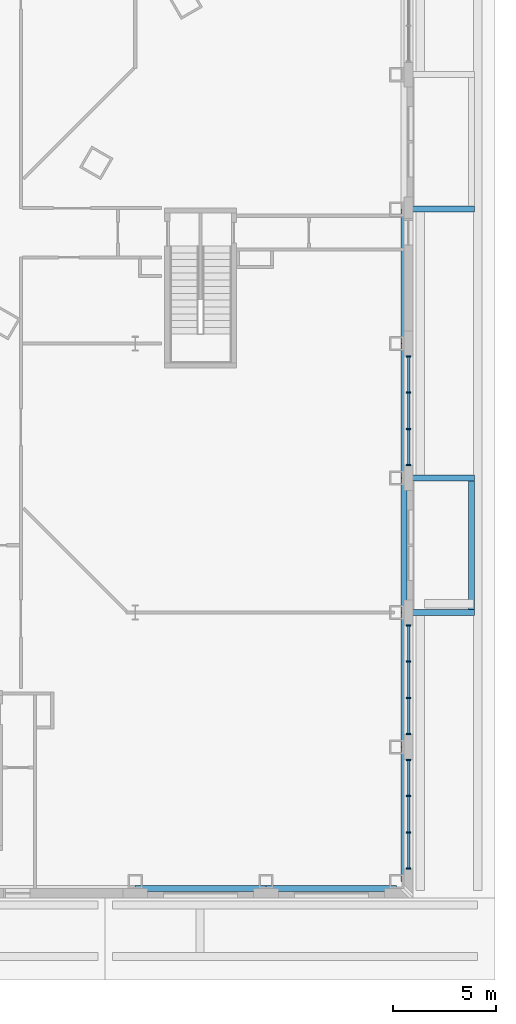
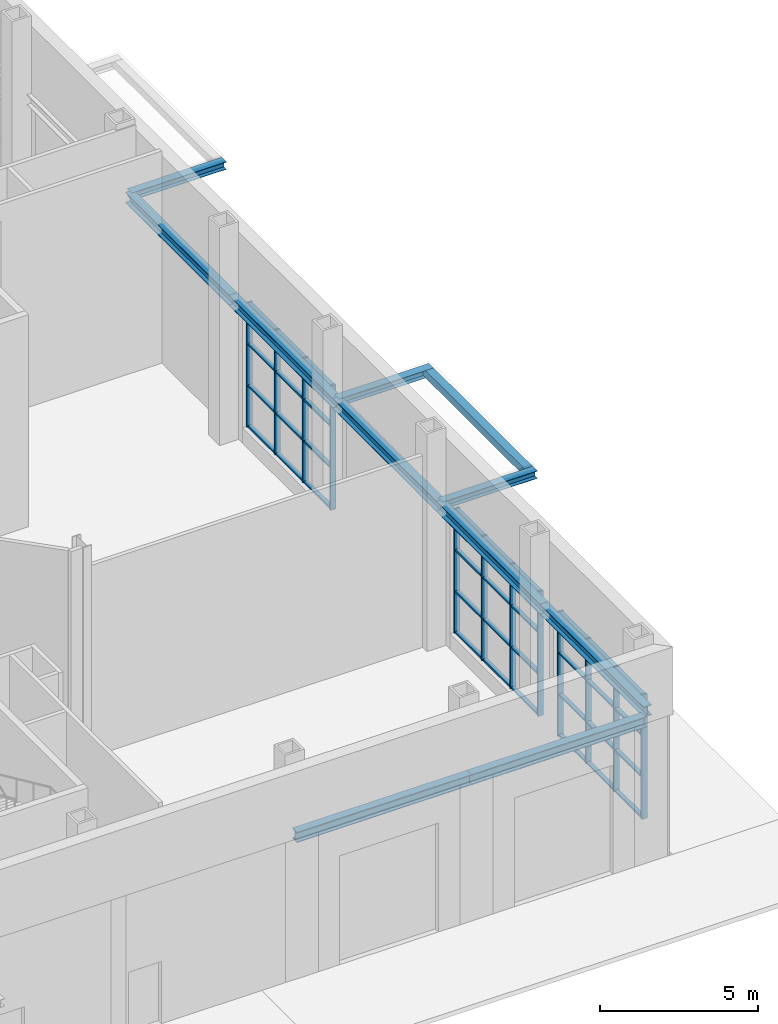
# One storey, part 11 of 34: 48 members, 11 beams, 3 elements without a shape of their own.
"""IFC4 building model written with IfcOpenShell, lengths in metres."""

import ifcopenshell
import ifcopenshell.guid

model = None  # the IFC model being written
_history = None  # IfcOwnerHistory: only IFC2X3 demands one
_inside = {}  # id of a spatial element -> (the spatial element, [elements in it])
_under = {}  # id of a project, library or spatial element -> (it, [spatial elements below it])
_declared = {}  # id of a project -> (the project, [libraries it declares])
_typed = {}  # id of a type object -> (the type object, [elements of that type])
_made_of = {}  # id of a material, layer set ... -> (it, [elements and type objects made of it])


def new_model(schema):
    """Start an empty IFC model of exactly this schema.

    Asked for "IFC4X3", IfcOpenShell would pick the latest addendum, in which some entities
    have other attributes; the version numbers below select the first issue.
    IFC2X3 requires an IfcOwnerHistory on every rooted entity: one is made here for all.
    """
    global model, _history
    if schema == "IFC4X3":
        model = ifcopenshell.file(schema_version=(4, 3, 0, 0))
    else:
        model = ifcopenshell.file(schema=schema)
    _inside.clear()
    _under.clear()
    _declared.clear()
    _typed.clear()
    _made_of.clear()
    _history = None
    if model.schema == "IFC2X3":
        org = make("IfcOrganization", Name="unknown")
        user = make(
            "IfcPersonAndOrganization",
            ThePerson=make("IfcPerson", FamilyName="unknown"),
            TheOrganization=org,
        )
        app = make(
            "IfcApplication",
            ApplicationDeveloper=org,
            Version="unknown",
            ApplicationFullName="unknown",
            ApplicationIdentifier="unknown",
        )
        _history = make(
            "IfcOwnerHistory",
            OwningUser=user,
            OwningApplication=app,
            ChangeAction="ADDED",
            CreationDate=0,
        )
    return model


def make(cls, **values):
    """One entity of the class cls with the attributes given. An attribute that is None is left unset."""
    return model.create_entity(
        cls, **{name: value for name, value in values.items() if value is not None}
    )


def rooted(cls, **values):
    """An entity with a GlobalId (a new one), such as an element, a storey or a relation."""
    return make(cls, GlobalId=ifcopenshell.guid.new(), OwnerHistory=_history, **values)


def si_unit(unit_type, name, prefix=None):
    """IfcSIUnit, for example si_unit("LENGTHUNIT", "METRE", prefix="MILLI")."""
    return make("IfcSIUnit", UnitType=unit_type, Prefix=prefix, Name=name)


def assignment(units):
    """IfcUnitAssignment: the units of a project."""
    return None if units is None else make("IfcUnitAssignment", Units=units)


def point(xyz):
    """IfcCartesianPoint."""
    return None if xyz is None else make("IfcCartesianPoint", Coordinates=xyz)


def direction(xyz):
    """IfcDirection."""
    return None if xyz is None else make("IfcDirection", DirectionRatios=xyz)


def frame(location, z_axis=None, x_axis=None):
    """IfcAxis2Placement3D, a coordinate frame: its origin and axes. An axis left out is left unset."""
    return make(
        "IfcAxis2Placement3D",
        Location=point(location),
        Axis=direction(z_axis),
        RefDirection=direction(x_axis),
    )


def frame_2d(location, x_axis=None):
    """IfcAxis2Placement2D, a coordinate frame in the plane: its origin and x axis."""
    return make(
        "IfcAxis2Placement2D", Location=point(location), RefDirection=direction(x_axis)
    )


def origin():
    """The frame at (0, 0, 0) with its axes left unset."""
    return frame((0.0, 0.0, 0.0))


def origin_2d():
    """The frame at (0, 0) in the plane with its x axis left unset."""
    return frame_2d((0.0, 0.0))


def place(relative_to, where):
    """IfcLocalPlacement: puts the frame where relative to a parent placement (None: the world)."""
    return make(
        "IfcLocalPlacement", PlacementRelTo=relative_to, RelativePlacement=where
    )


def context(
    kind, dimensions, precision=None, world=None, true_north=None, identifier=None
):
    """IfcGeometricRepresentationContext, for example the 3D "Model" context."""
    return make(
        "IfcGeometricRepresentationContext",
        ContextIdentifier=identifier,
        ContextType=kind,
        CoordinateSpaceDimension=dimensions,
        Precision=precision,
        WorldCoordinateSystem=world,
        TrueNorth=true_north,
    )


def subcontext(parent, identifier, kind, view, scale=None):
    """IfcGeometricRepresentationSubContext, for example "Body" below "Model"."""
    return make(
        "IfcGeometricRepresentationSubContext",
        ContextIdentifier=identifier,
        ContextType=kind,
        ParentContext=parent,
        TargetScale=scale,
        TargetView=view,
    )


def project(units=None, contexts=None):
    """IfcProject with its units and contexts."""
    return rooted(
        "IfcProject",
        Name="project",
        RepresentationContexts=contexts,
        UnitsInContext=assignment(units),
    )


def spatial(cls, under=None, at=None, **own):
    """A site, building, storey or space (cls), placed at a placement, below another one or the project."""
    s = rooted(cls, ObjectPlacement=at, **own)
    if under is not None:
        _under.setdefault(under.id(), (under, []))[1].append(s)
    return s


def profile(cls, at=None, kind="AREA", **sizes):
    """A parametric profile (cls). Its sizes go by their IFC names, for example OverallWidth=200.0."""
    return make(cls, ProfileType=kind, Position=at, **sizes)


def rectangle(**sizes):
    """IfcRectangleProfileDef."""
    return profile("IfcRectangleProfileDef", **sizes)


def hollow_rectangle(**sizes):
    """IfcRectangleHollowProfileDef."""
    return profile("IfcRectangleHollowProfileDef", **sizes)


def i_section(**sizes):
    """IfcIShapeProfileDef."""
    return profile("IfcIShapeProfileDef", **sizes)


def extrude(swept, where, along, depth):
    """IfcExtrudedAreaSolid: the profile swept, set in the frame where, extruded along a direction by depth."""
    return make(
        "IfcExtrudedAreaSolid",
        SweptArea=swept,
        Position=where,
        ExtrudedDirection=direction(along),
        Depth=depth,
    )


def shape(context_of_items, identifier, shape_type, items):
    """IfcShapeRepresentation: the items that make up one representation, for example the "Body"."""
    return make(
        "IfcShapeRepresentation",
        ContextOfItems=context_of_items,
        RepresentationIdentifier=identifier,
        RepresentationType=shape_type,
        Items=items,
    )


def material(Name=None, Category=None):
    """IfcMaterial."""
    return make("IfcMaterial", Name=Name, Category=Category)


def layer(
    of_material, thickness, ventilated=None, Name=None, Category=None, Priority=None
):
    """IfcMaterialLayer: one layer of a wall or slab, of a material (None: an air gap)."""
    return make(
        "IfcMaterialLayer",
        Material=of_material,
        LayerThickness=thickness,
        IsVentilated=ventilated,
        Name=Name,
        Category=Category,
        Priority=Priority,
    )


def layer_set(layers, Name=None):
    """IfcMaterialLayerSet."""
    return make("IfcMaterialLayerSet", MaterialLayers=layers, LayerSetName=Name)


def material_profile(
    of_material, cross_section, Name=None, Category=None, Priority=None
):
    """IfcMaterialProfile: a cross section and its material."""
    return make(
        "IfcMaterialProfile",
        Name=Name,
        Material=of_material,
        Profile=cross_section,
        Priority=Priority,
        Category=Category,
    )


def profile_set(profiles, Name=None, composite=None):
    """IfcMaterialProfileSet."""
    return make(
        "IfcMaterialProfileSet",
        Name=Name,
        MaterialProfiles=profiles,
        CompositeProfile=composite,
    )


def made_of(thing, what):
    """Note that an element or type object is made of a material, layer set ...; save() writes the relation."""
    if what is not None:
        _made_of.setdefault(what.id(), (what, []))[1].append(thing)
    return thing


def type_object(cls, material=None, **own):
    """A type object (cls), such as IfcWallType, which elements share."""
    return made_of(rooted(cls, **own), material)


def element(
    cls,
    number,
    at=None,
    inside=None,
    cuts=None,
    type_object=None,
    material=None,
    context=None,
    identifier="Body",
    shape_type=None,
    held_by="IfcProductDefinitionShape",
    body=None,
    shapes=None,
    **own,
):
    """One element of the class cls, such as IfcWall. Its Tag is "e" and its number.

    at: its placement. inside: the storey or other place that contains it. cuts: it is an
    opening in that element (IfcRelVoidsElement). A single representation is given by context,
    identifier, shape_type and body (its items); several are given by shapes. held_by: the class
    of the entity that holds the representations. save() writes the other relations.
    """
    e = rooted(cls, Tag="e%d" % number, ObjectPlacement=at, **own)
    if body is not None:
        shapes = [shape(context, identifier, shape_type, body)]
    if shapes is not None:
        e.Representation = make(held_by, Representations=shapes)
    if inside is not None:
        _inside.setdefault(inside.id(), (inside, []))[1].append(e)
    if cuts is not None:
        rooted(
            "IfcRelVoidsElement", RelatingBuildingElement=cuts, RelatedOpeningElement=e
        )
    if type_object is not None:
        _typed.setdefault(type_object.id(), (type_object, []))[1].append(e)
    return made_of(e, material)


def aggregate(whole, parts):
    """IfcRelAggregates: a whole, such as a stair, and the parts it consists of."""
    return rooted("IfcRelAggregates", RelatingObject=whole, RelatedObjects=parts)


def save(model, path):
    """Write the relations noted so far, then the file.

    IfcRelAggregates (storeys below a building ...), IfcRelContainedInSpatialStructure (elements
    in a storey), IfcRelDefinesByType, IfcRelAssociatesMaterial and IfcRelDeclares: one each for
    every whole, place, type object, material and project.
    """
    for whole, parts in _under.values():
        aggregate(whole, parts)
    for where, things in _inside.values():
        rooted(
            "IfcRelContainedInSpatialStructure",
            RelatedElements=things,
            RelatingStructure=where,
        )
    for kind, things in _typed.values():
        rooted("IfcRelDefinesByType", RelatedObjects=things, RelatingType=kind)
    for what, things in _made_of.values():
        rooted("IfcRelAssociatesMaterial", RelatedObjects=things, RelatingMaterial=what)
    for by, libraries in _declared.values():
        rooted("IfcRelDeclares", RelatingContext=by, RelatedDefinitions=libraries)
    model.write(path)


model = new_model("IFC4")

# Units and contexts
model_context = context("Model", 3, precision=1e-05, world=origin(), true_north=direction((0.0, 1.0)))
body_context = subcontext(model_context, "Body", "Model", "MODEL_VIEW")
ifc_project = project(units=[si_unit("LENGTHUNIT", "METRE"), si_unit("AREAUNIT", "SQUARE_METRE"), si_unit("VOLUMEUNIT", "CUBIC_METRE"), si_unit("PLANEANGLEUNIT", "RADIAN"), si_unit("MASSUNIT", "GRAM", prefix="KILO")], contexts=[model_context])

# Site, building, storey
site_placement = place(None, origin())
site = spatial("IfcSite", under=ifc_project, at=site_placement, CompositionType="ELEMENT")
building_placement = place(site_placement, origin())
building = spatial("IfcBuilding", under=site, at=building_placement, Name="Njiva Tower", CompositionType="ELEMENT")
storey_placement = place(building_placement, origin())
storey = spatial("IfcBuildingStorey", under=building, at=storey_placement, Name="L00", CompositionType="ELEMENT", Elevation=0.0)

# Beams
ifc_material_1 = material(Name="Steel S355 J2", Category="steel")
ifc_material_profile_1 = material_profile(ifc_material_1, i_section(OverallWidth=0.3, OverallDepth=0.29, WebThickness=0.0085, FlangeThickness=0.014, at=origin_2d()), Name="HEA300")
ifc_profile_set_1 = profile_set([ifc_material_profile_1], Name="Steel S355 J2")
beam_type_1 = type_object("IfcBeamType", Name="B90 Canopy cantilever beam HEA 300", PredefinedType="BEAM", material=ifc_profile_set_1)
for number, where, z_axis, x_axis, name in (
    (1, (38.55, -19.9, 5.255), (1.0, 0.0, 0.0), (0.0, 1.0, 0.0), "Canopy beam"),
    (2, (38.55, -13.35, 5.255), (1.0, 0.0, 0.0), (0.0, 1.0, 0.0), "Canopy beam"),
    (3, (38.55, -0.25, 5.255), (1.0, 0.0, 0.0), (0.0, 1.0, 0.0), "Canopy beam"),
):
    element("IfcBeam", number, at=place(storey_placement, frame(where, z_axis=z_axis, x_axis=x_axis)), inside=storey, type_object=beam_type_1, Name=name, PredefinedType="BEAM", context=body_context, shape_type="SweptSolid", body=[
        extrude(i_section(OverallWidth=0.3, OverallDepth=0.29, WebThickness=0.0085, FlangeThickness=0.014, at=origin_2d()), origin(), (0.0, 0.0, 1.0), 3.45),
    ])
ifc_material_2 = material(Name="Steel S355 J2H", Category="steel")
ifc_material_profile_2 = material_profile(ifc_material_2, hollow_rectangle(XDim=0.3, YDim=0.29, WallThickness=0.01, at=origin_2d()), Name="BOX 290x300x10")
ifc_profile_set_2 = profile_set([ifc_material_profile_2], Name="Steel S355 J2H")
beam_type_2 = type_object("IfcBeamType", Name="B91 Canopy tip beam RHS 290x300x10", PredefinedType="BEAM", material=ifc_profile_set_2)
beam_1_placement = place(storey_placement, frame((41.85, -19.9, 5.255), z_axis=(0.0, 1.0, 0.0), x_axis=(-1.0, 0.0, 0.0)))
element("IfcBeam", 4, at=beam_1_placement, inside=storey, type_object=beam_type_2, Name="Canopy tip beam", PredefinedType="BEAM", context=body_context, shape_type="SweptSolid", body=[
    extrude(hollow_rectangle(XDim=0.3, YDim=0.29, WallThickness=0.01, at=origin_2d()), origin(), (0.0, 0.0, 1.0), 6.55),
])
ifc_material_profile_3 = material_profile(ifc_material_1, i_section(OverallWidth=0.3, OverallDepth=0.4, WebThickness=0.0135, FlangeThickness=0.024, at=origin_2d()), Name="HEB400")
ifc_profile_set_3 = profile_set([ifc_material_profile_3], Name="Steel S355 J2")
beam_type_3 = type_object("IfcBeamType", Name="B92 Podium lintel beam HEB 400", PredefinedType="BEAM", material=ifc_profile_set_3)
for number, where, z_axis, x_axis, name in (
    (5, (38.55, -33.0, 5.2), (0.0, 1.0, 0.0), (-1.0, 0.0, 0.0), "Podium lintel beam"),
    (6, (38.55, -26.45, 5.2), (0.0, 1.0, 0.0), (-1.0, 0.0, 0.0), "Podium lintel beam"),
    (7, (38.55, -19.9, 5.2), (0.0, 1.0, 0.0), (-1.0, 0.0, 0.0), "Podium lintel beam"),
    (8, (38.55, -13.35, 5.2), (0.0, 1.0, 0.0), (-1.0, 0.0, 0.0), "Podium lintel beam"),
    (9, (38.55, -6.8, 5.2), (0.0, 1.0, 0.0), (-1.0, 0.0, 0.0), "Podium lintel beam"),
):
    element("IfcBeam", number, at=place(storey_placement, frame(where, z_axis=z_axis, x_axis=x_axis)), inside=storey, type_object=beam_type_3, Name=name, PredefinedType="BEAM", context=body_context, shape_type="SweptSolid", body=[
        extrude(i_section(OverallWidth=0.3, OverallDepth=0.4, WebThickness=0.0135, FlangeThickness=0.024, at=origin_2d()), origin(), (0.0, 0.0, 1.0), 6.55),
    ])
beam_2_placement = place(storey_placement, frame((25.467, -33.35, 5.2), z_axis=(1.0, 0.0, 0.0), x_axis=(0.0, 1.0, 0.0)))
element("IfcBeam", 10, at=beam_2_placement, inside=storey, type_object=beam_type_3, Name="Podium lintel beam", PredefinedType="BEAM", context=body_context, shape_type="SweptSolid", body=[
    extrude(i_section(OverallWidth=0.3, OverallDepth=0.4, WebThickness=0.0135, FlangeThickness=0.024, at=origin_2d()), origin(), (0.0, 0.0, 1.0), 6.366),
])
beam_3_placement = place(storey_placement, frame((31.833, -33.35, 5.2), z_axis=(1.0, 0.0, 0.0), x_axis=(0.0, 1.0, 0.0)))
element("IfcBeam", 11, at=beam_3_placement, inside=storey, type_object=beam_type_3, Name="Podium lintel beam", PredefinedType="BEAM", context=body_context, shape_type="SweptSolid", body=[
    extrude(i_section(OverallWidth=0.3, OverallDepth=0.4, WebThickness=0.0135, FlangeThickness=0.024, at=origin_2d()), origin(), (0.0, 0.0, 1.0), 6.367),
])

# Curtain wall, members
ifc_material_3 = material(Name="Glazed curtain wall", Category="glass")
ifc_layer = layer(ifc_material_3, 0.2)
ifc_layer_set = layer_set([ifc_layer], Name="Glazed curtain wall")
curtain_wall_type = type_object("IfcCurtainWallType", Name="CW1 Shopfront glazing", PredefinedType="NOTDEFINED", material=ifc_layer_set)
curtain_wall_1_placement = place(storey_placement, origin())
curtain_wall_1 = element("IfcCurtainWall", 12, at=curtain_wall_1_placement, inside=storey, type_object=curtain_wall_type, Name="Shopfront E1", PredefinedType="NOTDEFINED")
ifc_material_4 = material(Name="Aluminium mullion", Category="aluminium")
ifc_material_profile_4 = material_profile(ifc_material_4, rectangle(XDim=0.2, YDim=0.065, at=origin_2d()), Name="RECT 200x65")
ifc_profile_set_4 = profile_set([ifc_material_profile_4], Name="Aluminium mullion")
member_type_1 = type_object("IfcMemberType", Name="CW1-M Shopfront mullion 200x65", PredefinedType="MULLION", material=ifc_profile_set_4)
member_1_placement = place(storey_placement, frame((38.775, -32.3675, 0.6), z_axis=(0.0, 0.0, 1.0), x_axis=(-1.0, 0.0, 0.0)))
member_1 = element("IfcMember", 13, at=member_1_placement, type_object=member_type_1, Name="CW1-E1 mullion 1", PredefinedType="MULLION", context=body_context, shape_type="SweptSolid", body=[
    extrude(rectangle(XDim=0.2, YDim=0.065, at=origin_2d()), origin(), (0.0, 0.0, 1.0), 4.8),
])
member_2_placement = place(storey_placement, frame((38.775, -30.6167, 0.6), z_axis=(0.0, 0.0, 1.0), x_axis=(-1.0, 0.0, 0.0)))
member_2 = element("IfcMember", 14, at=member_2_placement, type_object=member_type_1, Name="CW1-E1 mullion 2", PredefinedType="MULLION", context=body_context, shape_type="SweptSolid", body=[
    extrude(rectangle(XDim=0.2, YDim=0.065, at=origin_2d()), origin(), (0.0, 0.0, 1.0), 4.8),
])
member_3_placement = place(storey_placement, frame((38.775, -28.8333, 0.6), z_axis=(0.0, 0.0, 1.0), x_axis=(-1.0, 0.0, 0.0)))
member_3 = element("IfcMember", 15, at=member_3_placement, type_object=member_type_1, Name="CW1-E1 mullion 3", PredefinedType="MULLION", context=body_context, shape_type="SweptSolid", body=[
    extrude(rectangle(XDim=0.2, YDim=0.065, at=origin_2d()), origin(), (0.0, 0.0, 1.0), 4.8),
])
member_4_placement = place(storey_placement, frame((38.775, -27.0825, 0.6), z_axis=(0.0, 0.0, 1.0), x_axis=(-1.0, 0.0, 0.0)))
member_4 = element("IfcMember", 16, at=member_4_placement, type_object=member_type_1, Name="CW1-E1 mullion 4", PredefinedType="MULLION", context=body_context, shape_type="SweptSolid", body=[
    extrude(rectangle(XDim=0.2, YDim=0.065, at=origin_2d()), origin(), (0.0, 0.0, 1.0), 4.8),
])

curtain_wall_2_placement = place(storey_placement, origin())
curtain_wall_2 = element("IfcCurtainWall", 17, at=curtain_wall_2_placement, inside=storey, type_object=curtain_wall_type, Name="Shopfront E2", PredefinedType="NOTDEFINED")
member_5_placement = place(storey_placement, frame((38.775, -25.8175, 0.6), z_axis=(0.0, 0.0, 1.0), x_axis=(-1.0, 0.0, 0.0)))
member_5 = element("IfcMember", 18, at=member_5_placement, type_object=member_type_1, Name="CW1-E2 mullion 1", PredefinedType="MULLION", context=body_context, shape_type="SweptSolid", body=[
    extrude(rectangle(XDim=0.2, YDim=0.065, at=origin_2d()), origin(), (0.0, 0.0, 1.0), 4.8),
])
member_6_placement = place(storey_placement, frame((38.775, -24.0667, 0.6), z_axis=(0.0, 0.0, 1.0), x_axis=(-1.0, 0.0, 0.0)))
member_6 = element("IfcMember", 19, at=member_6_placement, type_object=member_type_1, Name="CW1-E2 mullion 2", PredefinedType="MULLION", context=body_context, shape_type="SweptSolid", body=[
    extrude(rectangle(XDim=0.2, YDim=0.065, at=origin_2d()), origin(), (0.0, 0.0, 1.0), 4.8),
])
member_7_placement = place(storey_placement, frame((38.775, -22.2833, 0.6), z_axis=(0.0, 0.0, 1.0), x_axis=(-1.0, 0.0, 0.0)))
member_7 = element("IfcMember", 20, at=member_7_placement, type_object=member_type_1, Name="CW1-E2 mullion 3", PredefinedType="MULLION", context=body_context, shape_type="SweptSolid", body=[
    extrude(rectangle(XDim=0.2, YDim=0.065, at=origin_2d()), origin(), (0.0, 0.0, 1.0), 4.8),
])
member_8_placement = place(storey_placement, frame((38.775, -20.5325, 0.6), z_axis=(0.0, 0.0, 1.0), x_axis=(-1.0, 0.0, 0.0)))
member_8 = element("IfcMember", 21, at=member_8_placement, type_object=member_type_1, Name="CW1-E2 mullion 4", PredefinedType="MULLION", context=body_context, shape_type="SweptSolid", body=[
    extrude(rectangle(XDim=0.2, YDim=0.065, at=origin_2d()), origin(), (0.0, 0.0, 1.0), 4.8),
])

curtain_wall_3_placement = place(storey_placement, origin())
curtain_wall_3 = element("IfcCurtainWall", 22, at=curtain_wall_3_placement, inside=storey, type_object=curtain_wall_type, Name="Shopfront E4", PredefinedType="NOTDEFINED")
member_9_placement = place(storey_placement, frame((38.775, -12.7175, 0.6), z_axis=(0.0, 0.0, 1.0), x_axis=(-1.0, 0.0, 0.0)))
member_9 = element("IfcMember", 23, at=member_9_placement, type_object=member_type_1, Name="CW1-E4 mullion 1", PredefinedType="MULLION", context=body_context, shape_type="SweptSolid", body=[
    extrude(rectangle(XDim=0.2, YDim=0.065, at=origin_2d()), origin(), (0.0, 0.0, 1.0), 4.8),
])
member_10_placement = place(storey_placement, frame((38.775, -10.9667, 0.6), z_axis=(0.0, 0.0, 1.0), x_axis=(-1.0, 0.0, 0.0)))
member_10 = element("IfcMember", 24, at=member_10_placement, type_object=member_type_1, Name="CW1-E4 mullion 2", PredefinedType="MULLION", context=body_context, shape_type="SweptSolid", body=[
    extrude(rectangle(XDim=0.2, YDim=0.065, at=origin_2d()), origin(), (0.0, 0.0, 1.0), 4.8),
])
member_11_placement = place(storey_placement, frame((38.775, -9.1833, 0.6), z_axis=(0.0, 0.0, 1.0), x_axis=(-1.0, 0.0, 0.0)))
member_11 = element("IfcMember", 25, at=member_11_placement, type_object=member_type_1, Name="CW1-E4 mullion 3", PredefinedType="MULLION", context=body_context, shape_type="SweptSolid", body=[
    extrude(rectangle(XDim=0.2, YDim=0.065, at=origin_2d()), origin(), (0.0, 0.0, 1.0), 4.8),
])
member_12_placement = place(storey_placement, frame((38.775, -7.4325, 0.6), z_axis=(0.0, 0.0, 1.0), x_axis=(-1.0, 0.0, 0.0)))
member_12 = element("IfcMember", 26, at=member_12_placement, type_object=member_type_1, Name="CW1-E4 mullion 4", PredefinedType="MULLION", context=body_context, shape_type="SweptSolid", body=[
    extrude(rectangle(XDim=0.2, YDim=0.065, at=origin_2d()), origin(), (0.0, 0.0, 1.0), 4.8),
])

# Member
ifc_material_5 = material(Name="Aluminium transom", Category="aluminium")
ifc_material_profile_5 = material_profile(ifc_material_5, rectangle(XDim=0.15, YDim=0.065, at=origin_2d()), Name="RECT 150x65")
ifc_profile_set_5 = profile_set([ifc_material_profile_5], Name="Aluminium transom")
member_type_2 = type_object("IfcMemberType", Name="CW1-T Shopfront transom 150x65", PredefinedType="USERDEFINED", material=ifc_profile_set_5)
member_13_placement = place(storey_placement, frame((38.775, -32.335, 0.6325), z_axis=(0.0, 1.0, 0.0), x_axis=(-1.0, 0.0, 0.0)))
member_13 = element("IfcMember", 27, at=member_13_placement, type_object=member_type_2, Name="CW1-E1 transom 1.1", ObjectType="TRANSOM", PredefinedType="USERDEFINED", context=body_context, shape_type="SweptSolid", body=[
    extrude(rectangle(XDim=0.15, YDim=0.065, at=origin_2d()), origin(), (0.0, 0.0, 1.0), 1.6858),
])

member_14_placement = place(storey_placement, frame((38.775, -32.335, 2.2), z_axis=(0.0, 1.0, 0.0), x_axis=(-1.0, 0.0, 0.0)))
member_14 = element("IfcMember", 28, at=member_14_placement, type_object=member_type_2, Name="CW1-E1 transom 1.2", ObjectType="TRANSOM", PredefinedType="USERDEFINED", context=body_context, shape_type="SweptSolid", body=[
    extrude(rectangle(XDim=0.15, YDim=0.065, at=origin_2d()), origin(), (0.0, 0.0, 1.0), 1.6858),
])

member_15_placement = place(storey_placement, frame((38.775, -32.335, 3.8), z_axis=(0.0, 1.0, 0.0), x_axis=(-1.0, 0.0, 0.0)))
member_15 = element("IfcMember", 29, at=member_15_placement, type_object=member_type_2, Name="CW1-E1 transom 1.3", ObjectType="TRANSOM", PredefinedType="USERDEFINED", context=body_context, shape_type="SweptSolid", body=[
    extrude(rectangle(XDim=0.15, YDim=0.065, at=origin_2d()), origin(), (0.0, 0.0, 1.0), 1.6858),
])

member_16_placement = place(storey_placement, frame((38.775, -32.335, 5.3675), z_axis=(0.0, 1.0, 0.0), x_axis=(-1.0, 0.0, 0.0)))
member_16 = element("IfcMember", 30, at=member_16_placement, type_object=member_type_2, Name="CW1-E1 transom 1.4", ObjectType="TRANSOM", PredefinedType="USERDEFINED", context=body_context, shape_type="SweptSolid", body=[
    extrude(rectangle(XDim=0.15, YDim=0.065, at=origin_2d()), origin(), (0.0, 0.0, 1.0), 1.6858),
])

member_17_placement = place(storey_placement, frame((38.775, -30.5842, 0.6325), z_axis=(0.0, 1.0, 0.0), x_axis=(-1.0, 0.0, 0.0)))
member_17 = element("IfcMember", 31, at=member_17_placement, type_object=member_type_2, Name="CW1-E1 transom 2.1", ObjectType="TRANSOM", PredefinedType="USERDEFINED", context=body_context, shape_type="SweptSolid", body=[
    extrude(rectangle(XDim=0.15, YDim=0.065, at=origin_2d()), origin(), (0.0, 0.0, 1.0), 1.7184),
])

member_18_placement = place(storey_placement, frame((38.775, -30.5842, 2.2), z_axis=(0.0, 1.0, 0.0), x_axis=(-1.0, 0.0, 0.0)))
member_18 = element("IfcMember", 32, at=member_18_placement, type_object=member_type_2, Name="CW1-E1 transom 2.2", ObjectType="TRANSOM", PredefinedType="USERDEFINED", context=body_context, shape_type="SweptSolid", body=[
    extrude(rectangle(XDim=0.15, YDim=0.065, at=origin_2d()), origin(), (0.0, 0.0, 1.0), 1.7184),
])

member_19_placement = place(storey_placement, frame((38.775, -30.5842, 3.8), z_axis=(0.0, 1.0, 0.0), x_axis=(-1.0, 0.0, 0.0)))
member_19 = element("IfcMember", 33, at=member_19_placement, type_object=member_type_2, Name="CW1-E1 transom 2.3", ObjectType="TRANSOM", PredefinedType="USERDEFINED", context=body_context, shape_type="SweptSolid", body=[
    extrude(rectangle(XDim=0.15, YDim=0.065, at=origin_2d()), origin(), (0.0, 0.0, 1.0), 1.7184),
])

member_20_placement = place(storey_placement, frame((38.775, -30.5842, 5.3675), z_axis=(0.0, 1.0, 0.0), x_axis=(-1.0, 0.0, 0.0)))
member_20 = element("IfcMember", 34, at=member_20_placement, type_object=member_type_2, Name="CW1-E1 transom 2.4", ObjectType="TRANSOM", PredefinedType="USERDEFINED", context=body_context, shape_type="SweptSolid", body=[
    extrude(rectangle(XDim=0.15, YDim=0.065, at=origin_2d()), origin(), (0.0, 0.0, 1.0), 1.7184),
])

member_21_placement = place(storey_placement, frame((38.775, -28.8008, 0.6325), z_axis=(0.0, 1.0, 0.0), x_axis=(-1.0, 0.0, 0.0)))
member_21 = element("IfcMember", 35, at=member_21_placement, type_object=member_type_2, Name="CW1-E1 transom 3.1", ObjectType="TRANSOM", PredefinedType="USERDEFINED", context=body_context, shape_type="SweptSolid", body=[
    extrude(rectangle(XDim=0.15, YDim=0.065, at=origin_2d()), origin(), (0.0, 0.0, 1.0), 1.6858),
])

member_22_placement = place(storey_placement, frame((38.775, -28.8008, 2.2), z_axis=(0.0, 1.0, 0.0), x_axis=(-1.0, 0.0, 0.0)))
member_22 = element("IfcMember", 36, at=member_22_placement, type_object=member_type_2, Name="CW1-E1 transom 3.2", ObjectType="TRANSOM", PredefinedType="USERDEFINED", context=body_context, shape_type="SweptSolid", body=[
    extrude(rectangle(XDim=0.15, YDim=0.065, at=origin_2d()), origin(), (0.0, 0.0, 1.0), 1.6858),
])

member_23_placement = place(storey_placement, frame((38.775, -28.8008, 3.8), z_axis=(0.0, 1.0, 0.0), x_axis=(-1.0, 0.0, 0.0)))
member_23 = element("IfcMember", 37, at=member_23_placement, type_object=member_type_2, Name="CW1-E1 transom 3.3", ObjectType="TRANSOM", PredefinedType="USERDEFINED", context=body_context, shape_type="SweptSolid", body=[
    extrude(rectangle(XDim=0.15, YDim=0.065, at=origin_2d()), origin(), (0.0, 0.0, 1.0), 1.6858),
])

member_24_placement = place(storey_placement, frame((38.775, -28.8008, 5.3675), z_axis=(0.0, 1.0, 0.0), x_axis=(-1.0, 0.0, 0.0)))
member_24 = element("IfcMember", 38, at=member_24_placement, type_object=member_type_2, Name="CW1-E1 transom 3.4", ObjectType="TRANSOM", PredefinedType="USERDEFINED", context=body_context, shape_type="SweptSolid", body=[
    extrude(rectangle(XDim=0.15, YDim=0.065, at=origin_2d()), origin(), (0.0, 0.0, 1.0), 1.6858),
])

aggregate(curtain_wall_1, [member_1, member_2, member_3, member_4, member_13, member_14, member_15, member_16, member_17, member_18, member_19, member_20, member_21, member_22, member_23, member_24])

member_25_placement = place(storey_placement, frame((38.775, -25.785, 0.6325), z_axis=(0.0, 1.0, 0.0), x_axis=(-1.0, 0.0, 0.0)))
member_25 = element("IfcMember", 39, at=member_25_placement, type_object=member_type_2, Name="CW1-E2 transom 1.1", ObjectType="TRANSOM", PredefinedType="USERDEFINED", context=body_context, shape_type="SweptSolid", body=[
    extrude(rectangle(XDim=0.15, YDim=0.065, at=origin_2d()), origin(), (0.0, 0.0, 1.0), 1.6858),
])

member_26_placement = place(storey_placement, frame((38.775, -25.785, 2.2), z_axis=(0.0, 1.0, 0.0), x_axis=(-1.0, 0.0, 0.0)))
member_26 = element("IfcMember", 40, at=member_26_placement, type_object=member_type_2, Name="CW1-E2 transom 1.2", ObjectType="TRANSOM", PredefinedType="USERDEFINED", context=body_context, shape_type="SweptSolid", body=[
    extrude(rectangle(XDim=0.15, YDim=0.065, at=origin_2d()), origin(), (0.0, 0.0, 1.0), 1.6858),
])

member_27_placement = place(storey_placement, frame((38.775, -25.785, 3.8), z_axis=(0.0, 1.0, 0.0), x_axis=(-1.0, 0.0, 0.0)))
member_27 = element("IfcMember", 41, at=member_27_placement, type_object=member_type_2, Name="CW1-E2 transom 1.3", ObjectType="TRANSOM", PredefinedType="USERDEFINED", context=body_context, shape_type="SweptSolid", body=[
    extrude(rectangle(XDim=0.15, YDim=0.065, at=origin_2d()), origin(), (0.0, 0.0, 1.0), 1.6858),
])

member_28_placement = place(storey_placement, frame((38.775, -25.785, 5.3675), z_axis=(0.0, 1.0, 0.0), x_axis=(-1.0, 0.0, 0.0)))
member_28 = element("IfcMember", 42, at=member_28_placement, type_object=member_type_2, Name="CW1-E2 transom 1.4", ObjectType="TRANSOM", PredefinedType="USERDEFINED", context=body_context, shape_type="SweptSolid", body=[
    extrude(rectangle(XDim=0.15, YDim=0.065, at=origin_2d()), origin(), (0.0, 0.0, 1.0), 1.6858),
])

member_29_placement = place(storey_placement, frame((38.775, -24.0342, 0.6325), z_axis=(0.0, 1.0, 0.0), x_axis=(-1.0, 0.0, 0.0)))
member_29 = element("IfcMember", 43, at=member_29_placement, type_object=member_type_2, Name="CW1-E2 transom 2.1", ObjectType="TRANSOM", PredefinedType="USERDEFINED", context=body_context, shape_type="SweptSolid", body=[
    extrude(rectangle(XDim=0.15, YDim=0.065, at=origin_2d()), origin(), (0.0, 0.0, 1.0), 1.7184),
])

member_30_placement = place(storey_placement, frame((38.775, -24.0342, 2.2), z_axis=(0.0, 1.0, 0.0), x_axis=(-1.0, 0.0, 0.0)))
member_30 = element("IfcMember", 44, at=member_30_placement, type_object=member_type_2, Name="CW1-E2 transom 2.2", ObjectType="TRANSOM", PredefinedType="USERDEFINED", context=body_context, shape_type="SweptSolid", body=[
    extrude(rectangle(XDim=0.15, YDim=0.065, at=origin_2d()), origin(), (0.0, 0.0, 1.0), 1.7184),
])

member_31_placement = place(storey_placement, frame((38.775, -24.0342, 3.8), z_axis=(0.0, 1.0, 0.0), x_axis=(-1.0, 0.0, 0.0)))
member_31 = element("IfcMember", 45, at=member_31_placement, type_object=member_type_2, Name="CW1-E2 transom 2.3", ObjectType="TRANSOM", PredefinedType="USERDEFINED", context=body_context, shape_type="SweptSolid", body=[
    extrude(rectangle(XDim=0.15, YDim=0.065, at=origin_2d()), origin(), (0.0, 0.0, 1.0), 1.7184),
])

member_32_placement = place(storey_placement, frame((38.775, -24.0342, 5.3675), z_axis=(0.0, 1.0, 0.0), x_axis=(-1.0, 0.0, 0.0)))
member_32 = element("IfcMember", 46, at=member_32_placement, type_object=member_type_2, Name="CW1-E2 transom 2.4", ObjectType="TRANSOM", PredefinedType="USERDEFINED", context=body_context, shape_type="SweptSolid", body=[
    extrude(rectangle(XDim=0.15, YDim=0.065, at=origin_2d()), origin(), (0.0, 0.0, 1.0), 1.7184),
])

member_33_placement = place(storey_placement, frame((38.775, -22.2508, 0.6325), z_axis=(0.0, 1.0, 0.0), x_axis=(-1.0, 0.0, 0.0)))
member_33 = element("IfcMember", 47, at=member_33_placement, type_object=member_type_2, Name="CW1-E2 transom 3.1", ObjectType="TRANSOM", PredefinedType="USERDEFINED", context=body_context, shape_type="SweptSolid", body=[
    extrude(rectangle(XDim=0.15, YDim=0.065, at=origin_2d()), origin(), (0.0, 0.0, 1.0), 1.6858),
])

member_34_placement = place(storey_placement, frame((38.775, -22.2508, 2.2), z_axis=(0.0, 1.0, 0.0), x_axis=(-1.0, 0.0, 0.0)))
member_34 = element("IfcMember", 48, at=member_34_placement, type_object=member_type_2, Name="CW1-E2 transom 3.2", ObjectType="TRANSOM", PredefinedType="USERDEFINED", context=body_context, shape_type="SweptSolid", body=[
    extrude(rectangle(XDim=0.15, YDim=0.065, at=origin_2d()), origin(), (0.0, 0.0, 1.0), 1.6858),
])

member_35_placement = place(storey_placement, frame((38.775, -22.2508, 3.8), z_axis=(0.0, 1.0, 0.0), x_axis=(-1.0, 0.0, 0.0)))
member_35 = element("IfcMember", 49, at=member_35_placement, type_object=member_type_2, Name="CW1-E2 transom 3.3", ObjectType="TRANSOM", PredefinedType="USERDEFINED", context=body_context, shape_type="SweptSolid", body=[
    extrude(rectangle(XDim=0.15, YDim=0.065, at=origin_2d()), origin(), (0.0, 0.0, 1.0), 1.6858),
])

member_36_placement = place(storey_placement, frame((38.775, -22.2508, 5.3675), z_axis=(0.0, 1.0, 0.0), x_axis=(-1.0, 0.0, 0.0)))
member_36 = element("IfcMember", 50, at=member_36_placement, type_object=member_type_2, Name="CW1-E2 transom 3.4", ObjectType="TRANSOM", PredefinedType="USERDEFINED", context=body_context, shape_type="SweptSolid", body=[
    extrude(rectangle(XDim=0.15, YDim=0.065, at=origin_2d()), origin(), (0.0, 0.0, 1.0), 1.6858),
])

aggregate(curtain_wall_2, [member_5, member_6, member_7, member_8, member_25, member_26, member_27, member_28, member_29, member_30, member_31, member_32, member_33, member_34, member_35, member_36])

member_37_placement = place(storey_placement, frame((38.775, -12.685, 0.6325), z_axis=(0.0, 1.0, 0.0), x_axis=(-1.0, 0.0, 0.0)))
member_37 = element("IfcMember", 51, at=member_37_placement, type_object=member_type_2, Name="CW1-E4 transom 1.1", ObjectType="TRANSOM", PredefinedType="USERDEFINED", context=body_context, shape_type="SweptSolid", body=[
    extrude(rectangle(XDim=0.15, YDim=0.065, at=origin_2d()), origin(), (0.0, 0.0, 1.0), 1.6858),
])

member_38_placement = place(storey_placement, frame((38.775, -12.685, 2.2), z_axis=(0.0, 1.0, 0.0), x_axis=(-1.0, 0.0, 0.0)))
member_38 = element("IfcMember", 52, at=member_38_placement, type_object=member_type_2, Name="CW1-E4 transom 1.2", ObjectType="TRANSOM", PredefinedType="USERDEFINED", context=body_context, shape_type="SweptSolid", body=[
    extrude(rectangle(XDim=0.15, YDim=0.065, at=origin_2d()), origin(), (0.0, 0.0, 1.0), 1.6858),
])

member_39_placement = place(storey_placement, frame((38.775, -12.685, 3.8), z_axis=(0.0, 1.0, 0.0), x_axis=(-1.0, 0.0, 0.0)))
member_39 = element("IfcMember", 53, at=member_39_placement, type_object=member_type_2, Name="CW1-E4 transom 1.3", ObjectType="TRANSOM", PredefinedType="USERDEFINED", context=body_context, shape_type="SweptSolid", body=[
    extrude(rectangle(XDim=0.15, YDim=0.065, at=origin_2d()), origin(), (0.0, 0.0, 1.0), 1.6858),
])

member_40_placement = place(storey_placement, frame((38.775, -12.685, 5.3675), z_axis=(0.0, 1.0, 0.0), x_axis=(-1.0, 0.0, 0.0)))
member_40 = element("IfcMember", 54, at=member_40_placement, type_object=member_type_2, Name="CW1-E4 transom 1.4", ObjectType="TRANSOM", PredefinedType="USERDEFINED", context=body_context, shape_type="SweptSolid", body=[
    extrude(rectangle(XDim=0.15, YDim=0.065, at=origin_2d()), origin(), (0.0, 0.0, 1.0), 1.6858),
])

member_41_placement = place(storey_placement, frame((38.775, -10.9342, 0.6325), z_axis=(0.0, 1.0, 0.0), x_axis=(-1.0, 0.0, 0.0)))
member_41 = element("IfcMember", 55, at=member_41_placement, type_object=member_type_2, Name="CW1-E4 transom 2.1", ObjectType="TRANSOM", PredefinedType="USERDEFINED", context=body_context, shape_type="SweptSolid", body=[
    extrude(rectangle(XDim=0.15, YDim=0.065, at=origin_2d()), origin(), (0.0, 0.0, 1.0), 1.7184),
])

member_42_placement = place(storey_placement, frame((38.775, -10.9342, 2.2), z_axis=(0.0, 1.0, 0.0), x_axis=(-1.0, 0.0, 0.0)))
member_42 = element("IfcMember", 56, at=member_42_placement, type_object=member_type_2, Name="CW1-E4 transom 2.2", ObjectType="TRANSOM", PredefinedType="USERDEFINED", context=body_context, shape_type="SweptSolid", body=[
    extrude(rectangle(XDim=0.15, YDim=0.065, at=origin_2d()), origin(), (0.0, 0.0, 1.0), 1.7184),
])

member_43_placement = place(storey_placement, frame((38.775, -10.9342, 3.8), z_axis=(0.0, 1.0, 0.0), x_axis=(-1.0, 0.0, 0.0)))
member_43 = element("IfcMember", 57, at=member_43_placement, type_object=member_type_2, Name="CW1-E4 transom 2.3", ObjectType="TRANSOM", PredefinedType="USERDEFINED", context=body_context, shape_type="SweptSolid", body=[
    extrude(rectangle(XDim=0.15, YDim=0.065, at=origin_2d()), origin(), (0.0, 0.0, 1.0), 1.7184),
])

member_44_placement = place(storey_placement, frame((38.775, -10.9342, 5.3675), z_axis=(0.0, 1.0, 0.0), x_axis=(-1.0, 0.0, 0.0)))
member_44 = element("IfcMember", 58, at=member_44_placement, type_object=member_type_2, Name="CW1-E4 transom 2.4", ObjectType="TRANSOM", PredefinedType="USERDEFINED", context=body_context, shape_type="SweptSolid", body=[
    extrude(rectangle(XDim=0.15, YDim=0.065, at=origin_2d()), origin(), (0.0, 0.0, 1.0), 1.7184),
])

member_45_placement = place(storey_placement, frame((38.775, -9.1508, 0.6325), z_axis=(0.0, 1.0, 0.0), x_axis=(-1.0, 0.0, 0.0)))
member_45 = element("IfcMember", 59, at=member_45_placement, type_object=member_type_2, Name="CW1-E4 transom 3.1", ObjectType="TRANSOM", PredefinedType="USERDEFINED", context=body_context, shape_type="SweptSolid", body=[
    extrude(rectangle(XDim=0.15, YDim=0.065, at=origin_2d()), origin(), (0.0, 0.0, 1.0), 1.6858),
])

member_46_placement = place(storey_placement, frame((38.775, -9.1508, 2.2), z_axis=(0.0, 1.0, 0.0), x_axis=(-1.0, 0.0, 0.0)))
member_46 = element("IfcMember", 60, at=member_46_placement, type_object=member_type_2, Name="CW1-E4 transom 3.2", ObjectType="TRANSOM", PredefinedType="USERDEFINED", context=body_context, shape_type="SweptSolid", body=[
    extrude(rectangle(XDim=0.15, YDim=0.065, at=origin_2d()), origin(), (0.0, 0.0, 1.0), 1.6858),
])

member_47_placement = place(storey_placement, frame((38.775, -9.1508, 3.8), z_axis=(0.0, 1.0, 0.0), x_axis=(-1.0, 0.0, 0.0)))
member_47 = element("IfcMember", 61, at=member_47_placement, type_object=member_type_2, Name="CW1-E4 transom 3.3", ObjectType="TRANSOM", PredefinedType="USERDEFINED", context=body_context, shape_type="SweptSolid", body=[
    extrude(rectangle(XDim=0.15, YDim=0.065, at=origin_2d()), origin(), (0.0, 0.0, 1.0), 1.6858),
])

member_48_placement = place(storey_placement, frame((38.775, -9.1508, 5.3675), z_axis=(0.0, 1.0, 0.0), x_axis=(-1.0, 0.0, 0.0)))
member_48 = element("IfcMember", 62, at=member_48_placement, type_object=member_type_2, Name="CW1-E4 transom 3.4", ObjectType="TRANSOM", PredefinedType="USERDEFINED", context=body_context, shape_type="SweptSolid", body=[
    extrude(rectangle(XDim=0.15, YDim=0.065, at=origin_2d()), origin(), (0.0, 0.0, 1.0), 1.6858),
])

aggregate(curtain_wall_3, [member_9, member_10, member_11, member_12, member_37, member_38, member_39, member_40, member_41, member_42, member_43, member_44, member_45, member_46, member_47, member_48])

save(model, "model.ifc")
